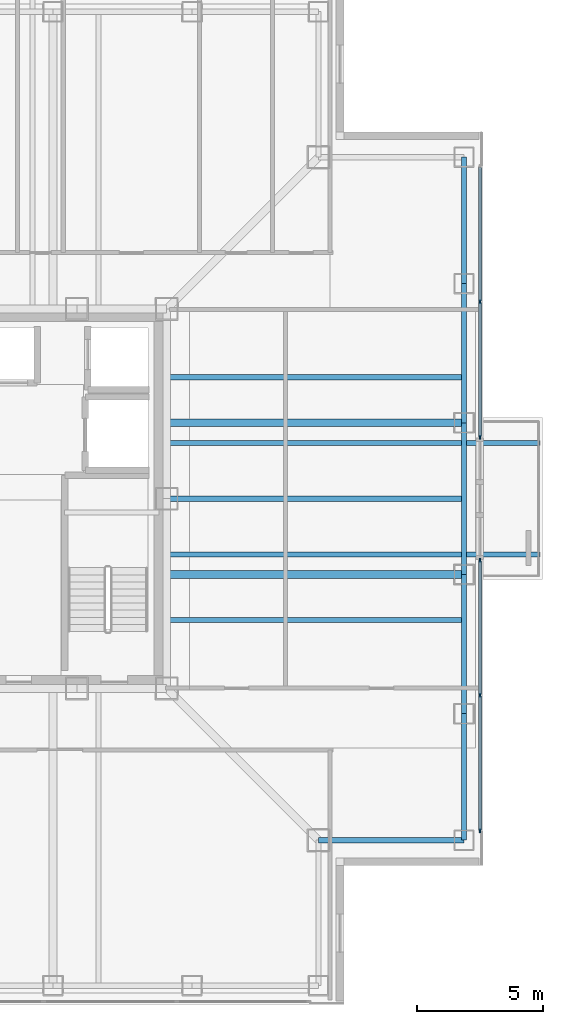
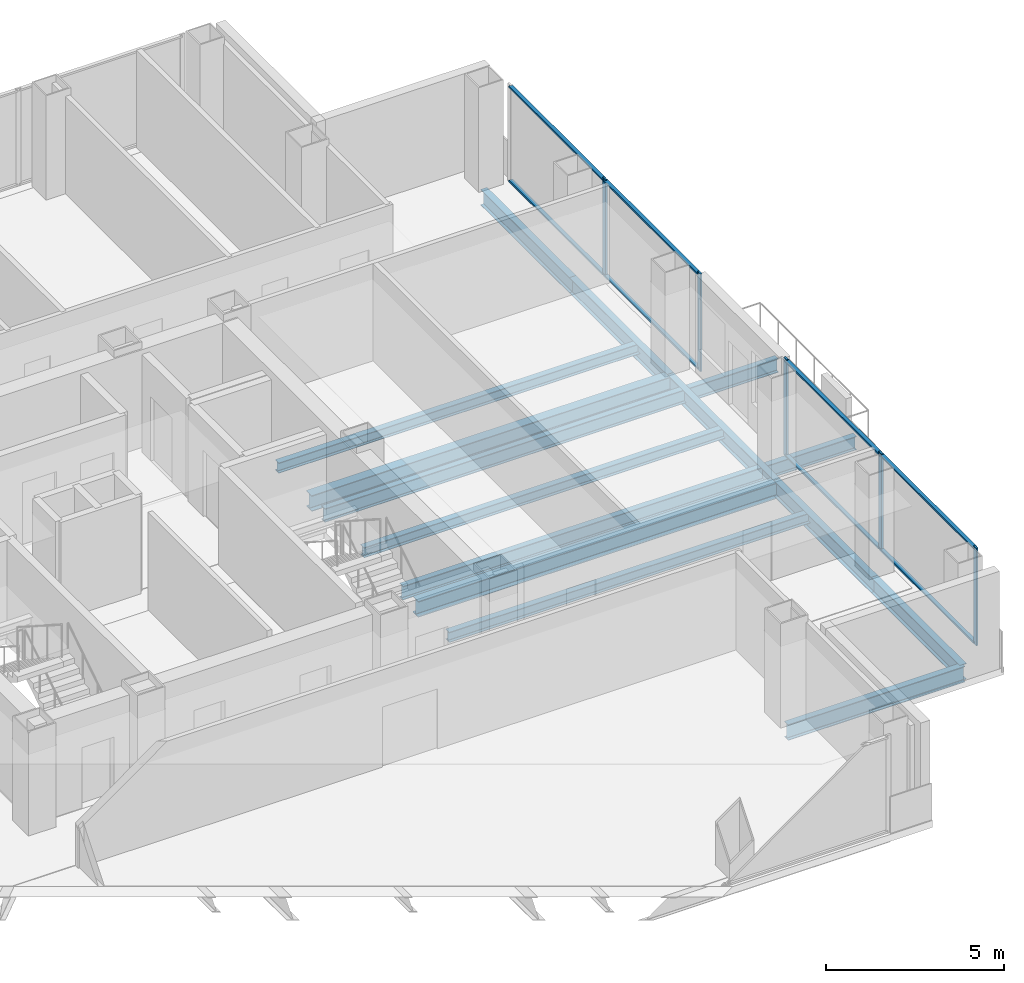
# One storey, part 6 of 17: 13 beams, 13 members, 2 elements without a shape of their own.
"""IFC4 building model written with IfcOpenShell, lengths in metres."""

import ifcopenshell
import ifcopenshell.guid

model = None  # the IFC model being written
_history = None  # IfcOwnerHistory: only IFC2X3 demands one
_inside = {}  # id of a spatial element -> (the spatial element, [elements in it])
_under = {}  # id of a project, library or spatial element -> (it, [spatial elements below it])
_declared = {}  # id of a project -> (the project, [libraries it declares])
_typed = {}  # id of a type object -> (the type object, [elements of that type])
_made_of = {}  # id of a material, layer set ... -> (it, [elements and type objects made of it])


def new_model(schema):
    """Start an empty IFC model of exactly this schema.

    Asked for "IFC4X3", IfcOpenShell would pick the latest addendum, in which some entities
    have other attributes; the version numbers below select the first issue.
    IFC2X3 requires an IfcOwnerHistory on every rooted entity: one is made here for all.
    """
    global model, _history
    if schema == "IFC4X3":
        model = ifcopenshell.file(schema_version=(4, 3, 0, 0))
    else:
        model = ifcopenshell.file(schema=schema)
    _inside.clear()
    _under.clear()
    _declared.clear()
    _typed.clear()
    _made_of.clear()
    _history = None
    if model.schema == "IFC2X3":
        org = make("IfcOrganization", Name="unknown")
        user = make(
            "IfcPersonAndOrganization",
            ThePerson=make("IfcPerson", FamilyName="unknown"),
            TheOrganization=org,
        )
        app = make(
            "IfcApplication",
            ApplicationDeveloper=org,
            Version="unknown",
            ApplicationFullName="unknown",
            ApplicationIdentifier="unknown",
        )
        _history = make(
            "IfcOwnerHistory",
            OwningUser=user,
            OwningApplication=app,
            ChangeAction="ADDED",
            CreationDate=0,
        )
    return model


def make(cls, **values):
    """One entity of the class cls with the attributes given. An attribute that is None is left unset."""
    return model.create_entity(
        cls, **{name: value for name, value in values.items() if value is not None}
    )


def rooted(cls, **values):
    """An entity with a GlobalId (a new one), such as an element, a storey or a relation."""
    return make(cls, GlobalId=ifcopenshell.guid.new(), OwnerHistory=_history, **values)


def si_unit(unit_type, name, prefix=None):
    """IfcSIUnit, for example si_unit("LENGTHUNIT", "METRE", prefix="MILLI")."""
    return make("IfcSIUnit", UnitType=unit_type, Prefix=prefix, Name=name)


def assignment(units):
    """IfcUnitAssignment: the units of a project."""
    return None if units is None else make("IfcUnitAssignment", Units=units)


def point(xyz):
    """IfcCartesianPoint."""
    return None if xyz is None else make("IfcCartesianPoint", Coordinates=xyz)


def direction(xyz):
    """IfcDirection."""
    return None if xyz is None else make("IfcDirection", DirectionRatios=xyz)


def frame(location, z_axis=None, x_axis=None):
    """IfcAxis2Placement3D, a coordinate frame: its origin and axes. An axis left out is left unset."""
    return make(
        "IfcAxis2Placement3D",
        Location=point(location),
        Axis=direction(z_axis),
        RefDirection=direction(x_axis),
    )


def frame_2d(location, x_axis=None):
    """IfcAxis2Placement2D, a coordinate frame in the plane: its origin and x axis."""
    return make(
        "IfcAxis2Placement2D", Location=point(location), RefDirection=direction(x_axis)
    )


def origin():
    """The frame at (0, 0, 0) with its axes left unset."""
    return frame((0.0, 0.0, 0.0))


def origin_2d():
    """The frame at (0, 0) in the plane with its x axis left unset."""
    return frame_2d((0.0, 0.0))


def place(relative_to, where):
    """IfcLocalPlacement: puts the frame where relative to a parent placement (None: the world)."""
    return make(
        "IfcLocalPlacement", PlacementRelTo=relative_to, RelativePlacement=where
    )


def context(
    kind, dimensions, precision=None, world=None, true_north=None, identifier=None
):
    """IfcGeometricRepresentationContext, for example the 3D "Model" context."""
    return make(
        "IfcGeometricRepresentationContext",
        ContextIdentifier=identifier,
        ContextType=kind,
        CoordinateSpaceDimension=dimensions,
        Precision=precision,
        WorldCoordinateSystem=world,
        TrueNorth=true_north,
    )


def subcontext(parent, identifier, kind, view, scale=None):
    """IfcGeometricRepresentationSubContext, for example "Body" below "Model"."""
    return make(
        "IfcGeometricRepresentationSubContext",
        ContextIdentifier=identifier,
        ContextType=kind,
        ParentContext=parent,
        TargetScale=scale,
        TargetView=view,
    )


def project(units=None, contexts=None):
    """IfcProject with its units and contexts."""
    return rooted(
        "IfcProject",
        Name="project",
        RepresentationContexts=contexts,
        UnitsInContext=assignment(units),
    )


def spatial(cls, under=None, at=None, **own):
    """A site, building, storey or space (cls), placed at a placement, below another one or the project."""
    s = rooted(cls, ObjectPlacement=at, **own)
    if under is not None:
        _under.setdefault(under.id(), (under, []))[1].append(s)
    return s


def profile(cls, at=None, kind="AREA", **sizes):
    """A parametric profile (cls). Its sizes go by their IFC names, for example OverallWidth=200.0."""
    return make(cls, ProfileType=kind, Position=at, **sizes)


def rectangle(**sizes):
    """IfcRectangleProfileDef."""
    return profile("IfcRectangleProfileDef", **sizes)


def i_section(**sizes):
    """IfcIShapeProfileDef."""
    return profile("IfcIShapeProfileDef", **sizes)


def extrude(swept, where, along, depth):
    """IfcExtrudedAreaSolid: the profile swept, set in the frame where, extruded along a direction by depth."""
    return make(
        "IfcExtrudedAreaSolid",
        SweptArea=swept,
        Position=where,
        ExtrudedDirection=direction(along),
        Depth=depth,
    )


def shape(context_of_items, identifier, shape_type, items):
    """IfcShapeRepresentation: the items that make up one representation, for example the "Body"."""
    return make(
        "IfcShapeRepresentation",
        ContextOfItems=context_of_items,
        RepresentationIdentifier=identifier,
        RepresentationType=shape_type,
        Items=items,
    )


def material(Name=None, Category=None):
    """IfcMaterial."""
    return make("IfcMaterial", Name=Name, Category=Category)


def layer(
    of_material, thickness, ventilated=None, Name=None, Category=None, Priority=None
):
    """IfcMaterialLayer: one layer of a wall or slab, of a material (None: an air gap)."""
    return make(
        "IfcMaterialLayer",
        Material=of_material,
        LayerThickness=thickness,
        IsVentilated=ventilated,
        Name=Name,
        Category=Category,
        Priority=Priority,
    )


def layer_set(layers, Name=None):
    """IfcMaterialLayerSet."""
    return make("IfcMaterialLayerSet", MaterialLayers=layers, LayerSetName=Name)


def material_profile(
    of_material, cross_section, Name=None, Category=None, Priority=None
):
    """IfcMaterialProfile: a cross section and its material."""
    return make(
        "IfcMaterialProfile",
        Name=Name,
        Material=of_material,
        Profile=cross_section,
        Priority=Priority,
        Category=Category,
    )


def profile_set(profiles, Name=None, composite=None):
    """IfcMaterialProfileSet."""
    return make(
        "IfcMaterialProfileSet",
        Name=Name,
        MaterialProfiles=profiles,
        CompositeProfile=composite,
    )


def made_of(thing, what):
    """Note that an element or type object is made of a material, layer set ...; save() writes the relation."""
    if what is not None:
        _made_of.setdefault(what.id(), (what, []))[1].append(thing)
    return thing


def type_object(cls, material=None, **own):
    """A type object (cls), such as IfcWallType, which elements share."""
    return made_of(rooted(cls, **own), material)


def element(
    cls,
    number,
    at=None,
    inside=None,
    cuts=None,
    type_object=None,
    material=None,
    context=None,
    identifier="Body",
    shape_type=None,
    held_by="IfcProductDefinitionShape",
    body=None,
    shapes=None,
    **own,
):
    """One element of the class cls, such as IfcWall. Its Tag is "e" and its number.

    at: its placement. inside: the storey or other place that contains it. cuts: it is an
    opening in that element (IfcRelVoidsElement). A single representation is given by context,
    identifier, shape_type and body (its items); several are given by shapes. held_by: the class
    of the entity that holds the representations. save() writes the other relations.
    """
    e = rooted(cls, Tag="e%d" % number, ObjectPlacement=at, **own)
    if body is not None:
        shapes = [shape(context, identifier, shape_type, body)]
    if shapes is not None:
        e.Representation = make(held_by, Representations=shapes)
    if inside is not None:
        _inside.setdefault(inside.id(), (inside, []))[1].append(e)
    if cuts is not None:
        rooted(
            "IfcRelVoidsElement", RelatingBuildingElement=cuts, RelatedOpeningElement=e
        )
    if type_object is not None:
        _typed.setdefault(type_object.id(), (type_object, []))[1].append(e)
    return made_of(e, material)


def aggregate(whole, parts):
    """IfcRelAggregates: a whole, such as a stair, and the parts it consists of."""
    return rooted("IfcRelAggregates", RelatingObject=whole, RelatedObjects=parts)


def save(model, path):
    """Write the relations noted so far, then the file.

    IfcRelAggregates (storeys below a building ...), IfcRelContainedInSpatialStructure (elements
    in a storey), IfcRelDefinesByType, IfcRelAssociatesMaterial and IfcRelDeclares: one each for
    every whole, place, type object, material and project.
    """
    for whole, parts in _under.values():
        aggregate(whole, parts)
    for where, things in _inside.values():
        rooted(
            "IfcRelContainedInSpatialStructure",
            RelatedElements=things,
            RelatingStructure=where,
        )
    for kind, things in _typed.values():
        rooted("IfcRelDefinesByType", RelatedObjects=things, RelatingType=kind)
    for what, things in _made_of.values():
        rooted("IfcRelAssociatesMaterial", RelatedObjects=things, RelatingMaterial=what)
    for by, libraries in _declared.values():
        rooted("IfcRelDeclares", RelatingContext=by, RelatedDefinitions=libraries)
    model.write(path)


model = new_model("IFC4")

# Units and contexts
model_context = context("Model", 3, precision=1e-05, world=origin(), true_north=direction((0.0, 1.0)))
body_context = subcontext(model_context, "Body", "Model", "MODEL_VIEW")
ifc_project = project(units=[si_unit("LENGTHUNIT", "METRE"), si_unit("AREAUNIT", "SQUARE_METRE"), si_unit("VOLUMEUNIT", "CUBIC_METRE"), si_unit("PLANEANGLEUNIT", "RADIAN"), si_unit("MASSUNIT", "GRAM", prefix="KILO")], contexts=[model_context])

# Site, building, storey
site_placement = place(None, origin())
site = spatial("IfcSite", under=ifc_project, at=site_placement, CompositionType="ELEMENT")
building_placement = place(site_placement, origin())
building = spatial("IfcBuilding", under=site, at=building_placement, Name="Trevonay Congress Spire", CompositionType="ELEMENT")
storey_placement = place(building_placement, frame((0.0, 0.0, 187.800048828125)))
storey = spatial("IfcBuildingStorey", under=building, at=storey_placement, Name="L48", CompositionType="ELEMENT", Elevation=187.800048828125)

# Beams
ifc_material_1 = material(Name="Steel ASTM A572 Grade 50", Category="steel")
ifc_material_profile_1 = material_profile(ifc_material_1, i_section(OverallWidth=0.194091796875, OverallDepth=0.468994140625, WebThickness=0.011474609375, FlangeThickness=0.01953125, FilletRadius=0.013916015625, at=origin_2d()), Name="W460x106")
ifc_profile_set_1 = profile_set([ifc_material_profile_1], Name="Steel ASTM A572 Grade 50")
beam_type_1 = type_object("IfcBeamType", Name="BM-BAL-LOOKOUT", PredefinedType="BEAM", material=ifc_profile_set_1)
for number, where, z_axis, x_axis, name in (
    (1, (7.5, -2.199951171875, -0.474609375), (1.0, 0.0, 0.0), (0.0, 1.0, 0.0), "L48 structural beam LKT-L48-E1"),
    (2, (7.5, 2.199951171875, -0.474609375), (1.0, 0.0, 0.0), (0.0, 1.0, 0.0), "L48 structural beam LKT-L48-E2"),
):
    element("IfcBeam", number, at=place(storey_placement, frame(where, z_axis=z_axis, x_axis=x_axis)), inside=storey, type_object=beam_type_1, Name=name, PredefinedType="BEAM", context=body_context, shape_type="SweptSolid", body=[
        extrude(i_section(OverallWidth=0.194091796875, OverallDepth=0.468994140625, WebThickness=0.011474609375, FlangeThickness=0.01953125, FilletRadius=0.013916015625, at=origin_2d()), origin(), (0.0, 0.0, 1.0), 14.75),
    ])
ifc_material_profile_2 = material_profile(ifc_material_1, i_section(OverallWidth=0.31201171875, OverallDepth=0.54296875, WebThickness=0.0126953125, FlangeThickness=0.020263671875, FilletRadius=0.014892578125, at=origin_2d()), Name="W530x150")
ifc_profile_set_2 = profile_set([ifc_material_profile_2], Name="Steel ASTM A572 Grade 50")
beam_type_2 = type_object("IfcBeamType", Name="BM-GIRD-W530X150", PredefinedType="BEAM", material=ifc_profile_set_2)
for number, where, z_axis, x_axis, name in (
    (3, (7.5, -3.0, -0.511474609375), (1.0, 0.0, 0.0), (0.0, 1.0, 0.0), "L48 structural beam BM-L48-GE-M"),
    (4, (7.5, 3.0, -0.511474609375), (1.0, 0.0, 0.0), (0.0, 1.0, 0.0), "L48 structural beam BM-L48-GE-P"),
):
    element("IfcBeam", number, at=place(storey_placement, frame(where, z_axis=z_axis, x_axis=x_axis)), inside=storey, type_object=beam_type_2, Name=name, PredefinedType="BEAM", context=body_context, shape_type="SweptSolid", body=[
        extrude(i_section(OverallWidth=0.31201171875, OverallDepth=0.54296875, WebThickness=0.0126953125, FlangeThickness=0.020263671875, FilletRadius=0.014892578125, at=origin_2d()), origin(), (0.0, 0.0, 1.0), 11.75),
    ])
ifc_material_profile_3 = material_profile(ifc_material_1, i_section(OverallWidth=0.2119140625, OverallDepth=0.5439453125, WebThickness=0.01318359375, FlangeThickness=0.021240234375, FilletRadius=0.014892578125, at=origin_2d()), Name="W530x123")
ifc_profile_set_3 = profile_set([ifc_material_profile_3], Name="Steel ASTM A572 Grade 50")
beam_type_3 = type_object("IfcBeamType", Name="BM-RING-W530X123", PredefinedType="BEAM", material=ifc_profile_set_3)
beam_1_placement = place(storey_placement, frame((19.25, -13.5, -0.511962890625), z_axis=(0.0, 1.0, 0.0), x_axis=(-1.0, 0.0, 0.0)))
element("IfcBeam", 5, at=beam_1_placement, inside=storey, type_object=beam_type_3, Name="L48 structural beam BM-L48-PE1", PredefinedType="BEAM", context=body_context, shape_type="SweptSolid", body=[
    extrude(i_section(OverallWidth=0.2119140625, OverallDepth=0.5439453125, WebThickness=0.01318359375, FlangeThickness=0.021240234375, FilletRadius=0.014892578125, at=origin_2d()), origin(), (0.0, 0.0, 1.0), 5.0),
])
beam_2_placement = place(storey_placement, frame((19.25, -8.5, -0.511962890625), z_axis=(0.0, 1.0, 0.0), x_axis=(-1.0, 0.0, 0.0)))
element("IfcBeam", 6, at=beam_2_placement, inside=storey, type_object=beam_type_3, Name="L48 structural beam BM-L48-PE2", PredefinedType="BEAM", context=body_context, shape_type="SweptSolid", body=[
    extrude(i_section(OverallWidth=0.2119140625, OverallDepth=0.5439453125, WebThickness=0.01318359375, FlangeThickness=0.021240234375, FilletRadius=0.014892578125, at=origin_2d()), origin(), (0.0, 0.0, 1.0), 5.5),
])
beam_3_placement = place(storey_placement, frame((19.25, -3.0, -0.511962890625), z_axis=(0.0, 1.0, 0.0), x_axis=(-1.0, 0.0, 0.0)))
element("IfcBeam", 7, at=beam_3_placement, inside=storey, type_object=beam_type_3, Name="L48 structural beam BM-L48-PE3", PredefinedType="BEAM", context=body_context, shape_type="SweptSolid", body=[
    extrude(i_section(OverallWidth=0.2119140625, OverallDepth=0.5439453125, WebThickness=0.01318359375, FlangeThickness=0.021240234375, FilletRadius=0.014892578125, at=origin_2d()), origin(), (0.0, 0.0, 1.0), 6.0),
])
beam_4_placement = place(storey_placement, frame((19.25, 3.0, -0.511962890625), z_axis=(0.0, 1.0, 0.0), x_axis=(-1.0, 0.0, 0.0)))
element("IfcBeam", 8, at=beam_4_placement, inside=storey, type_object=beam_type_3, Name="L48 structural beam BM-L48-PE4", PredefinedType="BEAM", context=body_context, shape_type="SweptSolid", body=[
    extrude(i_section(OverallWidth=0.2119140625, OverallDepth=0.5439453125, WebThickness=0.01318359375, FlangeThickness=0.021240234375, FilletRadius=0.014892578125, at=origin_2d()), origin(), (0.0, 0.0, 1.0), 5.5),
])
beam_5_placement = place(storey_placement, frame((19.25, 8.5, -0.511962890625), z_axis=(0.0, 1.0, 0.0), x_axis=(-1.0, 0.0, 0.0)))
element("IfcBeam", 9, at=beam_5_placement, inside=storey, type_object=beam_type_3, Name="L48 structural beam BM-L48-PE5", PredefinedType="BEAM", context=body_context, shape_type="SweptSolid", body=[
    extrude(i_section(OverallWidth=0.2119140625, OverallDepth=0.5439453125, WebThickness=0.01318359375, FlangeThickness=0.021240234375, FilletRadius=0.014892578125, at=origin_2d()), origin(), (0.0, 0.0, 1.0), 5.0),
])
beam_6_placement = place(storey_placement, frame((19.25, -13.5, -0.511962890625), z_axis=(-1.0, 0.0, 0.0), x_axis=(0.0, -1.0, 0.0)))
element("IfcBeam", 10, at=beam_6_placement, inside=storey, type_object=beam_type_3, Name="L48 structural beam BM-L48-N2SE", PredefinedType="BEAM", context=body_context, shape_type="SweptSolid", body=[
    extrude(i_section(OverallWidth=0.2119140625, OverallDepth=0.5439453125, WebThickness=0.01318359375, FlangeThickness=0.021240234375, FilletRadius=0.014892578125, at=origin_2d()), origin(), (0.0, 0.0, 1.0), 5.75),
])

# Curtain wall, members
ifc_material_2 = material(Name="Pale Anodised Aluminium EN AW-6063-T6", Category="aluminium")
ifc_layer = layer(ifc_material_2, 0.169921875, Name="Pale Anodised Aluminium EN AW-6063-T6")
ifc_layer_set = layer_set([ifc_layer], Name="Pale Anodised Aluminium EN AW-6063-T6")
curtain_wall_type = type_object("IfcCurtainWallType", Name="CW-SYS04-CORP-PALE-METAL", PredefinedType="NOTDEFINED", material=ifc_layer_set)
curtain_wall_1_placement = place(storey_placement, origin())
curtain_wall_1 = element("IfcCurtainWall", 11, at=curtain_wall_1_placement, inside=storey, type_object=curtain_wall_type, Name="L48 EA unitised curtain wall", PredefinedType="NOTDEFINED")
ifc_material_profile_4 = material_profile(ifc_material_2, rectangle(XDim=0.06005859375, YDim=0.159912109375, at=origin_2d()), Name="CW-MULLION-160-ALUMINIUM")
ifc_profile_set_4 = profile_set([ifc_material_profile_4], Name="Pale Anodised Aluminium EN AW-6063-T6")
member_type_1 = type_object("IfcMemberType", Name="CW-MULLION-160-ALUMINIUM", PredefinedType="MULLION", material=ifc_profile_set_4)
member_1_placement = place(storey_placement, frame((19.8798828125, -13.1201171875, 0.0), z_axis=(0.0, 0.0, 1.0), x_axis=(-1.0, 0.0, 0.0)))
member_1 = element("IfcMember", 12, at=member_1_placement, type_object=member_type_1, Name="CW04 mullion 1", PredefinedType="MULLION", context=body_context, shape_type="SweptSolid", body=[
    extrude(rectangle(XDim=0.06005859375, YDim=0.159912109375, at=origin_2d()), origin(), (0.0, 0.0, 1.0), 3.35986328125),
])
member_2_placement = place(storey_placement, frame((19.8798828125, -7.77490234375, 0.0), z_axis=(0.0, 0.0, 1.0), x_axis=(-1.0, 0.0, 0.0)))
member_2 = element("IfcMember", 13, at=member_2_placement, type_object=member_type_1, Name="CW04 mullion 2", PredefinedType="MULLION", context=body_context, shape_type="SweptSolid", body=[
    extrude(rectangle(XDim=0.06005859375, YDim=0.159912109375, at=origin_2d()), origin(), (0.0, 0.0, 1.0), 3.35986328125),
])
member_3_placement = place(storey_placement, frame((19.8798828125, -2.429931640625, 0.0), z_axis=(0.0, 0.0, 1.0), x_axis=(-1.0, 0.0, 0.0)))
member_3 = element("IfcMember", 14, at=member_3_placement, type_object=member_type_1, Name="CW04 mullion 3", PredefinedType="MULLION", context=body_context, shape_type="SweptSolid", body=[
    extrude(rectangle(XDim=0.06005859375, YDim=0.159912109375, at=origin_2d()), origin(), (0.0, 0.0, 1.0), 3.35986328125),
])

curtain_wall_2_placement = place(storey_placement, origin())
curtain_wall_2 = element("IfcCurtainWall", 15, at=curtain_wall_2_placement, inside=storey, type_object=curtain_wall_type, Name="L48 EB unitised curtain wall", PredefinedType="NOTDEFINED")
member_4_placement = place(storey_placement, frame((19.8798828125, 2.429931640625, 0.0), z_axis=(0.0, 0.0, 1.0), x_axis=(-1.0, 0.0, 0.0)))
member_4 = element("IfcMember", 16, at=member_4_placement, type_object=member_type_1, Name="CW04 mullion 1", PredefinedType="MULLION", context=body_context, shape_type="SweptSolid", body=[
    extrude(rectangle(XDim=0.06005859375, YDim=0.159912109375, at=origin_2d()), origin(), (0.0, 0.0, 1.0), 3.35986328125),
])
member_5_placement = place(storey_placement, frame((19.8798828125, 7.77490234375, 0.0), z_axis=(0.0, 0.0, 1.0), x_axis=(-1.0, 0.0, 0.0)))
member_5 = element("IfcMember", 17, at=member_5_placement, type_object=member_type_1, Name="CW04 mullion 2", PredefinedType="MULLION", context=body_context, shape_type="SweptSolid", body=[
    extrude(rectangle(XDim=0.06005859375, YDim=0.159912109375, at=origin_2d()), origin(), (0.0, 0.0, 1.0), 3.35986328125),
])

# Member
ifc_material_profile_5 = material_profile(ifc_material_2, rectangle(XDim=0.1201171875, YDim=0.06005859375, at=origin_2d()), Name="CW-TRANSOM-120-ALUMINIUM")
ifc_profile_set_5 = profile_set([ifc_material_profile_5], Name="Pale Anodised Aluminium EN AW-6063-T6")
member_type_2 = type_object("IfcMemberType", Name="CW-TRANSOM-120-ALUMINIUM", PredefinedType="USERDEFINED", material=ifc_profile_set_5)
member_6_placement = place(storey_placement, frame((19.8798828125, -13.090087890625, 0.06005859375), z_axis=(0.0, 1.0, 0.0), x_axis=(-1.0, 0.0, 0.0)))
member_6 = element("IfcMember", 18, at=member_6_placement, type_object=member_type_2, Name="CW04 transom 1.1", ObjectType="TRANSOM", PredefinedType="USERDEFINED", context=body_context, shape_type="SweptSolid", body=[
    extrude(rectangle(XDim=0.1201171875, YDim=0.06005859375, at=origin_2d()), origin(), (0.0, 0.0, 1.0), 5.28515625),
])

member_7_placement = place(storey_placement, frame((19.8798828125, -13.090087890625, 3.300048828125), z_axis=(0.0, 1.0, 0.0), x_axis=(-1.0, 0.0, 0.0)))
member_7 = element("IfcMember", 19, at=member_7_placement, type_object=member_type_2, Name="CW04 transom 1.2", ObjectType="TRANSOM", PredefinedType="USERDEFINED", context=body_context, shape_type="SweptSolid", body=[
    extrude(rectangle(XDim=0.1201171875, YDim=0.06005859375, at=origin_2d()), origin(), (0.0, 0.0, 1.0), 5.28515625),
])

member_8_placement = place(storey_placement, frame((19.8798828125, -7.7451171875, 0.06005859375), z_axis=(0.0, 1.0, 0.0), x_axis=(-1.0, 0.0, 0.0)))
member_8 = element("IfcMember", 20, at=member_8_placement, type_object=member_type_2, Name="CW04 transom 2.1", ObjectType="TRANSOM", PredefinedType="USERDEFINED", context=body_context, shape_type="SweptSolid", body=[
    extrude(rectangle(XDim=0.1201171875, YDim=0.06005859375, at=origin_2d()), origin(), (0.0, 0.0, 1.0), 5.28515625),
])

member_9_placement = place(storey_placement, frame((19.8798828125, -7.7451171875, 3.300048828125), z_axis=(0.0, 1.0, 0.0), x_axis=(-1.0, 0.0, 0.0)))
member_9 = element("IfcMember", 21, at=member_9_placement, type_object=member_type_2, Name="CW04 transom 2.2", ObjectType="TRANSOM", PredefinedType="USERDEFINED", context=body_context, shape_type="SweptSolid", body=[
    extrude(rectangle(XDim=0.1201171875, YDim=0.06005859375, at=origin_2d()), origin(), (0.0, 0.0, 1.0), 5.28515625),
])

aggregate(curtain_wall_1, [member_1, member_2, member_3, member_6, member_7, member_8, member_9])

member_10_placement = place(storey_placement, frame((19.8798828125, 2.4599609375, 0.06005859375), z_axis=(0.0, 1.0, 0.0), x_axis=(-1.0, 0.0, 0.0)))
member_10 = element("IfcMember", 22, at=member_10_placement, type_object=member_type_2, Name="CW04 transom 1.1", ObjectType="TRANSOM", PredefinedType="USERDEFINED", context=body_context, shape_type="SweptSolid", body=[
    extrude(rectangle(XDim=0.1201171875, YDim=0.06005859375, at=origin_2d()), origin(), (0.0, 0.0, 1.0), 5.28515625),
])

member_11_placement = place(storey_placement, frame((19.8798828125, 2.4599609375, 3.300048828125), z_axis=(0.0, 1.0, 0.0), x_axis=(-1.0, 0.0, 0.0)))
member_11 = element("IfcMember", 23, at=member_11_placement, type_object=member_type_2, Name="CW04 transom 1.2", ObjectType="TRANSOM", PredefinedType="USERDEFINED", context=body_context, shape_type="SweptSolid", body=[
    extrude(rectangle(XDim=0.1201171875, YDim=0.06005859375, at=origin_2d()), origin(), (0.0, 0.0, 1.0), 5.28515625),
])

member_12_placement = place(storey_placement, frame((19.8798828125, 7.804931640625, 0.06005859375), z_axis=(0.0, 1.0, 0.0), x_axis=(-1.0, 0.0, 0.0)))
member_12 = element("IfcMember", 24, at=member_12_placement, type_object=member_type_2, Name="CW04 transom 2.1", ObjectType="TRANSOM", PredefinedType="USERDEFINED", context=body_context, shape_type="SweptSolid", body=[
    extrude(rectangle(XDim=0.1201171875, YDim=0.06005859375, at=origin_2d()), origin(), (0.0, 0.0, 1.0), 5.28515625),
])

member_13_placement = place(storey_placement, frame((19.8798828125, 7.804931640625, 3.300048828125), z_axis=(0.0, 1.0, 0.0), x_axis=(-1.0, 0.0, 0.0)))
member_13 = element("IfcMember", 25, at=member_13_placement, type_object=member_type_2, Name="CW04 transom 2.2", ObjectType="TRANSOM", PredefinedType="USERDEFINED", context=body_context, shape_type="SweptSolid", body=[
    extrude(rectangle(XDim=0.1201171875, YDim=0.06005859375, at=origin_2d()), origin(), (0.0, 0.0, 1.0), 5.28515625),
])

aggregate(curtain_wall_2, [member_4, member_5, member_10, member_11, member_12, member_13])

# Beams
ifc_material_profile_6 = material_profile(ifc_material_1, i_section(OverallWidth=0.205078125, OverallDepth=0.35400390625, WebThickness=0.009521484375, FlangeThickness=0.016845703125, FilletRadius=0.011962890625, at=origin_2d()), Name="W360x79")
ifc_profile_set_6 = profile_set([ifc_material_profile_6], Name="Steel ASTM A572 Grade 50")
beam_type_4 = type_object("IfcBeamType", Name="JS-COMP-W360X79", PredefinedType="JOIST", material=ifc_profile_set_6)
for number, where, z_axis, x_axis, name in (
    (26, (7.5, -4.800048828125, -0.4169921875), (1.0, 0.0, 0.0), (0.0, 1.0, 0.0), "L48 structural beam JS-L48-EW-E1"),
    (27, (7.5, 0.0, -0.4169921875), (1.0, 0.0, 0.0), (0.0, 1.0, 0.0), "L48 structural beam JS-L48-EW-E2"),
    (28, (7.5, 4.800048828125, -0.4169921875), (1.0, 0.0, 0.0), (0.0, 1.0, 0.0), "L48 structural beam JS-L48-EW-E3"),
):
    element("IfcBeam", number, at=place(storey_placement, frame(where, z_axis=z_axis, x_axis=x_axis)), inside=storey, type_object=beam_type_4, Name=name, PredefinedType="JOIST", context=body_context, shape_type="SweptSolid", body=[
        extrude(i_section(OverallWidth=0.205078125, OverallDepth=0.35400390625, WebThickness=0.009521484375, FlangeThickness=0.016845703125, FilletRadius=0.011962890625, at=origin_2d()), origin(), (0.0, 0.0, 1.0), 11.75),
    ])

save(model, "model.ifc")
